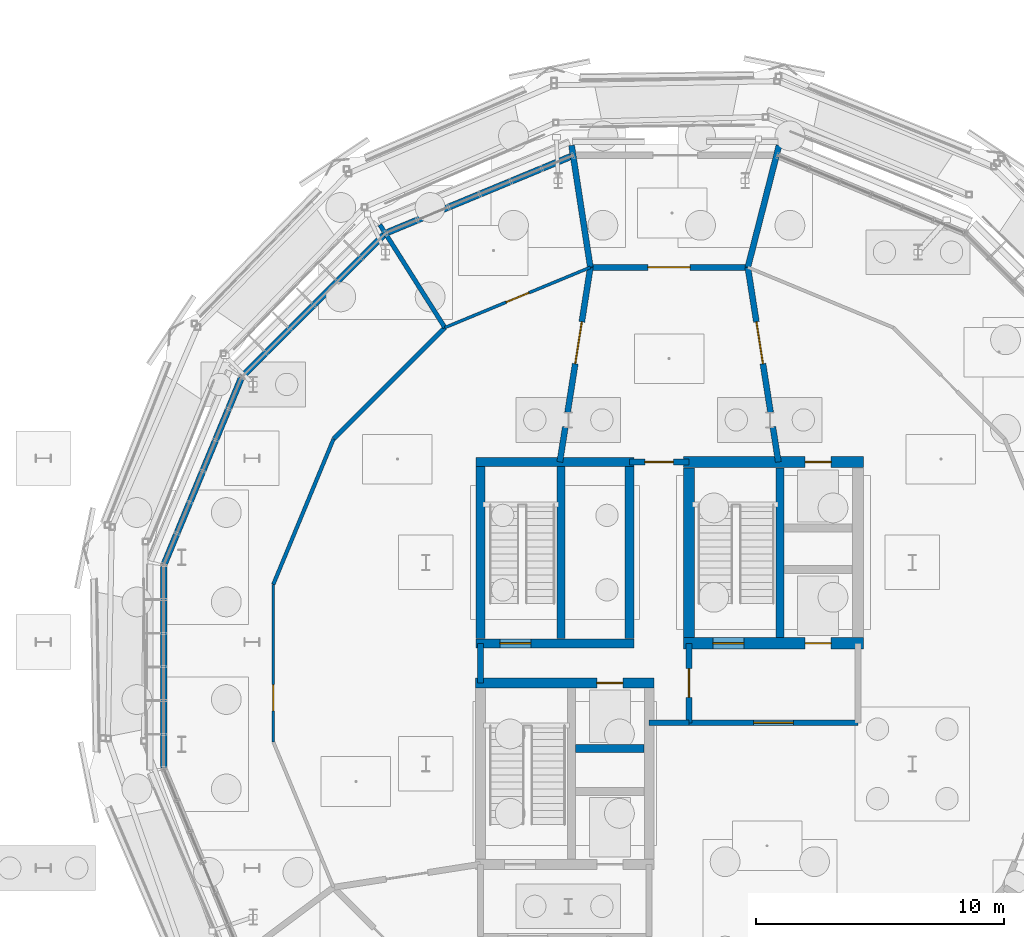
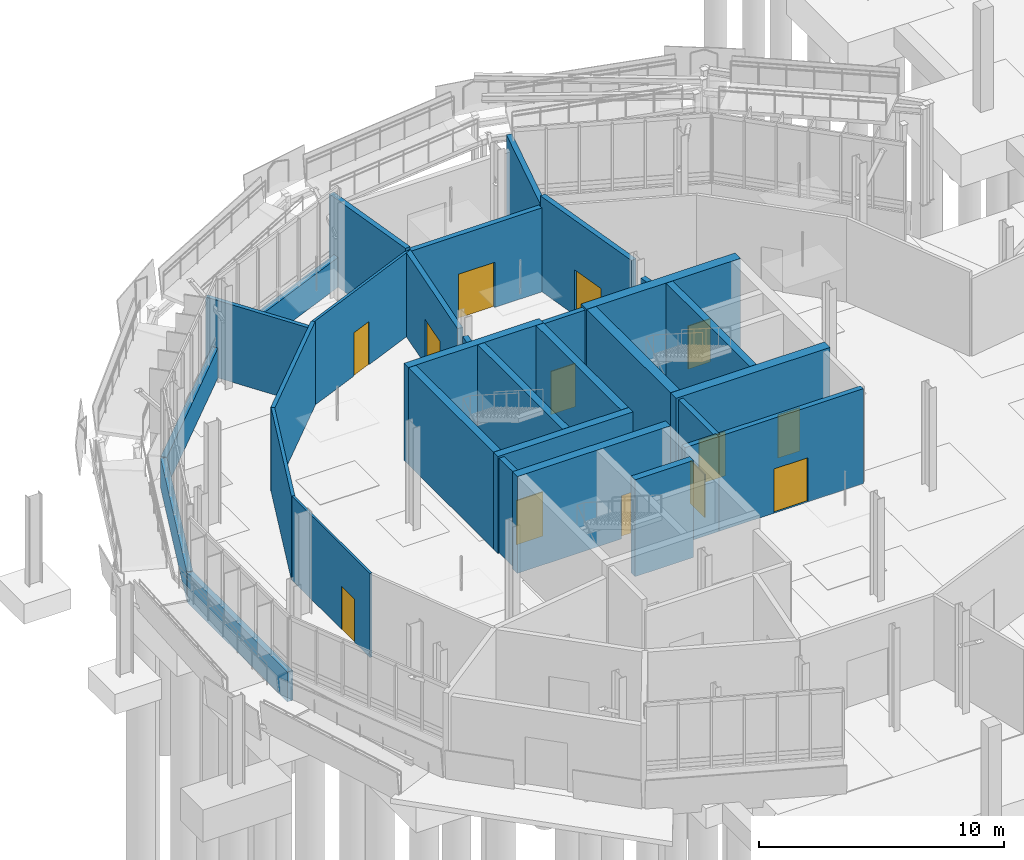
# One storey, part 84 of 119: 32 walls, 13 doors, 13 openings.
"""IFC4 building model written with IfcOpenShell, lengths in metres."""

from ifc_helpers import new_model, si_unit, derived_unit, direction, frame, frame_2d, origin, place, context, subcontext, project, spatial, rectangle, extrude, material, layer, layer_set, type_object, element, fill, save


model = new_model("IFC4")

# Units and contexts
model_context = context("Model", 3, precision=1e-05, world=origin(), true_north=direction((0.0, 1.0)))
body_context = subcontext(model_context, "Body", "Model", "MODEL_VIEW")
ifc_project = project(units=[si_unit("LENGTHUNIT", "METRE"), si_unit("AREAUNIT", "SQUARE_METRE"), si_unit("VOLUMEUNIT", "CUBIC_METRE"), si_unit("PLANEANGLEUNIT", "RADIAN"), si_unit("MASSUNIT", "GRAM", prefix="KILO"), derived_unit("THERMALTRANSMITTANCEUNIT", [(si_unit("MASSUNIT", "GRAM", prefix="KILO"), 1), (si_unit("TIMEUNIT", "SECOND"), -3), (si_unit("THERMODYNAMICTEMPERATUREUNIT", "KELVIN"), -1)])], contexts=[model_context])

# Site, building, storey
site_placement = place(None, origin())
site = spatial("IfcSite", under=ifc_project, at=site_placement, CompositionType="ELEMENT")
building_placement = place(site_placement, origin())
building = spatial("IfcBuilding", under=site, at=building_placement, Name="Makaiwela Harbour Ferry Terminal", CompositionType="ELEMENT")
storey_placement = place(building_placement, origin())
storey = spatial("IfcBuildingStorey", under=building, at=storey_placement, Name="L00", CompositionType="ELEMENT", Elevation=0.0)

# Walls
ifc_material_1 = material(Name="Precast concrete f'c 40 MPa (6000 psi)", Category="concrete")
ifc_layer_1 = layer(ifc_material_1, 0.260009765625)
ifc_layer_set_1 = layer_set([ifc_layer_1], Name="Precast concrete f'c 40 MPa (6000 psi)")
wall_type_1 = type_object("IfcWallType", Name="ENV-WL-EXT260", PredefinedType="SOLIDWALL", material=ifc_layer_set_1)
for number, where, z_axis, x_axis, name in (
    (1, (33.92529296875, 88.034912109375, 0.0), (0.0, 0.0, 1.0), (-0.923884768998, -0.382670790122, 0.0), "Drum Spandrel Backup Wall EW-L00-04"),
    (2, (26.36181640625, 84.8896484375, 0.0), (0.0, 0.0, 1.0), (-0.707106781187, -0.707106781187, 0.0), "Drum Spandrel Backup Wall EW-L00-05"),
    (3, (20.57763671875, 79.08935546875, 0.0), (0.0, 0.0, 1.0), (-0.382670790122, -0.923884768998, 0.0), "Drum Spandrel Backup Wall EW-L00-06"),
    (4, (17.45361328125, 71.516845703125, 0.0), (0.0, 0.0, 1.0), (0.0, -1.0, 0.0), "Drum Spandrel Backup Wall EW-L00-07"),
):
    element("IfcWall", number, at=place(storey_placement, frame(where, z_axis=z_axis, x_axis=x_axis)), inside=storey, type_object=wall_type_1, Name=name, PredefinedType="SOLIDWALL", context=body_context, shape_type="SweptSolid", body=[
        extrude(rectangle(XDim=8.1337890625, YDim=0.260009765625, at=frame_2d((4.06689453125, 0.0))), origin(), (0.0, 0.0, 1.0), 1.47998046875),
    ])
ifc_material_2 = material(Name="Fire-rated gypsum board on steel studs", Category="steel")
ifc_layer_2 = layer(ifc_material_2, 0.179931640625)
ifc_layer_set_2 = layer_set([ifc_layer_2], Name="Fire-rated gypsum board on steel studs")
wall_type_2 = type_object("IfcWallType", Name="INT-WL-FIR180", PredefinedType="PARTITIONING", material=ifc_layer_set_2)
wall_1_placement = place(storey_placement, frame((28.77197265625, 81.111328125, 0.0), z_axis=(0.0, 0.0, 1.0), x_axis=(-0.707106781187, -0.707106781187, 0.0)))
element("IfcWall", 5, at=wall_1_placement, inside=storey, type_object=wall_type_2, Name="Interior Wall IW-0241", PredefinedType="PARTITIONING", context=body_context, shape_type="SweptSolid", body=[
    extrude(rectangle(XDim=6.340576171875, YDim=0.179931640625, at=frame_2d((3.17041015625, 0.0))), origin(), (0.0, 0.0, 1.0), 4.178955078125),
])
wall_2_placement = place(storey_placement, frame((28.77197265625, 81.111328125, 0.0), z_axis=(0.0, 0.0, 1.0), x_axis=(-0.534244268178, 0.845330149657, 0.0)))
element("IfcWall", 6, at=wall_2_placement, inside=storey, type_object=wall_type_2, Name="Interior Wall IW-0263", PredefinedType="PARTITIONING", context=body_context, shape_type="SweptSolid", body=[
    extrude(rectangle(XDim=4.89794921875, YDim=0.179931640625, at=frame_2d((2.448974609375, 0.0))), origin(), (0.0, 0.0, 1.0), 3.844970703125),
])

# Wall, opening, door
ifc_layer_3 = layer(ifc_material_2, 0.239990234375)
ifc_layer_set_3 = layer_set([ifc_layer_3], Name="Fire-rated gypsum board on steel studs")
wall_type_3 = type_object("IfcWallType", Name="INT-WL-FIR240", PredefinedType="SOLIDWALL", material=ifc_layer_set_3)
wall_3_placement = place(storey_placement, frame((38.60009765625, 65.199951171875, 0.0), z_axis=(0.0, 0.0, 1.0), x_axis=(1.0, 0.0, 0.0)))
wall_3 = element("IfcWall", 7, at=wall_3_placement, inside=storey, type_object=wall_type_3, Name="Interior Wall IW-0001", PredefinedType="SOLIDWALL", context=body_context, shape_type="SweptSolid", body=[
    extrude(rectangle(XDim=6.7998046875, YDim=0.239990234375, at=frame_2d((3.39990234375, 0.0))), origin(), (0.0, 0.0, 1.0), 4.719970703125),
])
opening_1_placement = place(wall_3_placement, frame((2.60009765625, 0.0, 0.0)))
opening_1 = element("IfcOpeningElement", 8, at=opening_1_placement, cuts=wall_3, Name="Opening D-03", PredefinedType="OPENING", context=body_context, shape_type="SweptSolid", body=[
    extrude(rectangle(XDim=1.60009765625, YDim=2.199951171875, at=frame_2d((0.800048828125, 1.10009765625))), frame((0.0, 0.1298828125, 0.0), z_axis=(0.0, -1.0, 0.0), x_axis=(1.0, 0.0, 0.0)), (0.0, 0.0, 1.0), 0.260009765625),
])
ifc_material_3 = material(Name="Insulated galvanised fire-rated steel leaf and frame", Category="steel")
door_type_1 = type_object("IfcDoorType", Name="INT-DR-FFL160", OperationType="NOTDEFINED", PredefinedType="DOOR", material=ifc_material_3)
door_1_placement = place(opening_1_placement, frame((1.60009765625, 0.0, 0.0), z_axis=(0.0, 0.0, 1.0), x_axis=(-1.0, 0.0, 0.0)))
door_1 = element("IfcDoor", 9, at=door_1_placement, inside=storey, type_object=door_type_1, Name="Door D-03", OperationType="DOUBLE_DOOR_SINGLE_SWING", OverallHeight=2.199951171875, OverallWidth=1.60009765625, PredefinedType="DOOR", context=body_context, shape_type="SweptSolid", body=[
    extrude(rectangle(XDim=1.60009765625, YDim=2.199951171875, at=frame_2d((0.800048828125, 1.10009765625))), frame((0.0, 0.02490234375, 0.0), z_axis=(0.0, -1.0, 0.0), x_axis=(1.0, 0.0, 0.0)), (0.0, 0.0, 1.0), 0.050048828125),
])
fill(opening_1, door_1)

wall_4_placement = place(storey_placement, frame((38.60009765625, 68.39990234375, 0.0), z_axis=(0.0, 0.0, 1.0), x_axis=(0.0, -1.0, 0.0)))
wall_4 = element("IfcWall", 10, at=wall_4_placement, inside=storey, type_object=wall_type_3, Name="Interior Wall IW-0002", PredefinedType="SOLIDWALL", context=body_context, shape_type="SweptSolid", body=[
    extrude(rectangle(XDim=3.199951171875, YDim=0.239990234375, at=frame_2d((1.60009765625, 0.0))), origin(), (0.0, 0.0, 1.0), 4.719970703125),
])
opening_2_placement = place(wall_4_placement, frame((1.02490234375, 0.0, 0.0)))
opening_2 = element("IfcOpeningElement", 11, at=opening_2_placement, cuts=wall_4, Name="Opening D-01", PredefinedType="OPENING", context=body_context, shape_type="SweptSolid", body=[
    extrude(rectangle(XDim=1.14990234375, YDim=2.14990234375, at=frame_2d((0.574951171875, 1.074951171875))), frame((0.0, 0.1298828125, 0.0), z_axis=(0.0, -1.0, 0.0), x_axis=(1.0, 0.0, 0.0)), (0.0, 0.0, 1.0), 0.260009765625),
])
door_type_2 = type_object("IfcDoorType", Name="INT-DR-ST115", OperationType="NOTDEFINED", PredefinedType="DOOR", material=ifc_material_3)
door_2_placement = place(opening_2_placement, frame((1.14990234375, 0.0, 0.0), z_axis=(0.0, 0.0, 1.0), x_axis=(-1.0, 0.0, 0.0)))
door_2 = element("IfcDoor", 12, at=door_2_placement, inside=storey, type_object=door_type_2, Name="Door D-01", OperationType="SINGLE_SWING_RIGHT", OverallHeight=2.14990234375, OverallWidth=1.14990234375, PredefinedType="DOOR", context=body_context, shape_type="SweptSolid", body=[
    extrude(rectangle(XDim=1.14990234375, YDim=2.14990234375, at=frame_2d((0.574951171875, 1.074951171875))), frame((0.0, 0.02490234375, 0.0), z_axis=(0.0, -1.0, 0.0), x_axis=(1.0, 0.0, 0.0)), (0.0, 0.0, 1.0), 0.050048828125),
])
fill(opening_2, door_2)

# Walls
wall_5_placement = place(storey_placement, frame((30.199951171875, 66.800048828125, 0.0), z_axis=(0.0, 0.0, 1.0), x_axis=(0.0, 1.0, 0.0)))
element("IfcWall", 13, at=wall_5_placement, inside=storey, type_object=wall_type_3, Name="Interior Wall IW-0129", PredefinedType="SOLIDWALL", context=body_context, shape_type="SweptSolid", body=[
    extrude(rectangle(XDim=1.599853515625, YDim=0.239990234375, at=frame_2d((0.7998046875, 0.0))), origin(), (0.0, 0.0, 1.0), 4.719970703125),
])
wall_6_placement = place(storey_placement, frame((37.0, 65.199951171875, 0.0), z_axis=(0.0, 0.0, 1.0), x_axis=(1.0, 0.0, 0.0)))
element("IfcWall", 14, at=wall_6_placement, inside=storey, type_object=wall_type_3, Name="Interior Wall IW-0130", PredefinedType="SOLIDWALL", context=body_context, shape_type="SweptSolid", body=[
    extrude(rectangle(XDim=1.60009765625, YDim=0.239990234375, at=frame_2d((0.800048828125, 0.0))), origin(), (0.0, 0.0, 1.0), 4.719970703125),
])

# Wall, opening, door
wall_7_placement = place(storey_placement, frame((36.199951171875, 75.699951171875, 0.0), z_axis=(0.0, 0.0, 1.0), x_axis=(1.0, 0.0, 0.0)))
wall_7 = element("IfcWall", 15, at=wall_7_placement, inside=storey, type_object=wall_type_3, Name="Interior Wall IW-0131", PredefinedType="SOLIDWALL", context=body_context, shape_type="SweptSolid", body=[
    extrude(rectangle(XDim=2.400146484375, YDim=0.239990234375, at=frame_2d((1.2001953125, 0.0))), origin(), (0.0, 0.0, 1.0), 4.719970703125),
])
opening_3_placement = place(wall_7_placement, frame((0.625, 0.0, 0.0)))
opening_3 = element("IfcOpeningElement", 16, at=opening_3_placement, cuts=wall_7, Name="Opening D-01", PredefinedType="OPENING", context=body_context, shape_type="SweptSolid", body=[
    extrude(rectangle(XDim=1.14990234375, YDim=2.14990234375, at=frame_2d((0.574951171875, 1.074951171875))), frame((0.0, 0.1298828125, 0.0), z_axis=(0.0, -1.0, 0.0), x_axis=(1.0, 0.0, 0.0)), (0.0, 0.0, 1.0), 0.260009765625),
])
door_3_placement = place(opening_3_placement, origin())
door_3 = element("IfcDoor", 17, at=door_3_placement, inside=storey, type_object=door_type_2, Name="Door D-01", OperationType="SINGLE_SWING_LEFT", OverallHeight=2.14990234375, OverallWidth=1.14990234375, PredefinedType="DOOR", context=body_context, shape_type="SweptSolid", body=[
    extrude(rectangle(XDim=1.14990234375, YDim=2.14990234375, at=frame_2d((0.574951171875, 1.074951171875))), frame((0.0, 0.02490234375, 0.0), z_axis=(0.0, -1.0, 0.0), x_axis=(1.0, 0.0, 0.0)), (0.0, 0.0, 1.0), 0.050048828125),
])
fill(opening_3, door_3)

wall_8_placement = place(storey_placement, frame((40.97021484375, 83.537841796875, 0.0), z_axis=(0.0, 0.0, 1.0), x_axis=(-1.0, 0.0, 0.0)))
wall_8 = element("IfcWall", 18, at=wall_8_placement, inside=storey, type_object=wall_type_3, Name="Interior Wall IW-0239", PredefinedType="SOLIDWALL", context=body_context, shape_type="SweptSolid", body=[
    extrude(rectangle(XDim=6.34033203125, YDim=0.239990234375, at=frame_2d((3.170166015625, 0.0))), origin(), (0.0, 0.0, 1.0), 4.178955078125),
])
opening_4_placement = place(wall_8_placement, frame((2.3203125, 0.0, 0.0)))
opening_4 = element("IfcOpeningElement", 19, at=opening_4_placement, cuts=wall_8, Name="Opening D-04", PredefinedType="OPENING", context=body_context, shape_type="SweptSolid", body=[
    extrude(rectangle(XDim=1.699951171875, YDim=2.25, at=frame_2d((0.85009765625, 1.125))), frame((0.0, 0.1298828125, 0.0), z_axis=(0.0, -1.0, 0.0), x_axis=(1.0, 0.0, 0.0)), (0.0, 0.0, 1.0), 0.260009765625),
])
door_type_3 = type_object("IfcDoorType", Name="INT-DR-COR170", OperationType="NOTDEFINED", PredefinedType="DOOR", material=ifc_material_3)
door_4_placement = place(opening_4_placement, frame((1.699951171875, 0.0, 0.0), z_axis=(0.0, 0.0, 1.0), x_axis=(-1.0, 0.0, 0.0)))
door_4 = element("IfcDoor", 20, at=door_4_placement, inside=storey, type_object=door_type_3, Name="Door D-04", OperationType="SINGLE_SWING_LEFT", OverallHeight=2.25, OverallWidth=1.699951171875, PredefinedType="DOOR", context=body_context, shape_type="SweptSolid", body=[
    extrude(rectangle(XDim=1.699951171875, YDim=2.25, at=frame_2d((0.85009765625, 1.125))), frame((0.0, 0.02490234375, 0.0), z_axis=(0.0, -1.0, 0.0), x_axis=(1.0, 0.0, 0.0)), (0.0, 0.0, 1.0), 0.050048828125),
])
fill(opening_4, door_4)

# Walls
wall_9_placement = place(storey_placement, frame((40.97021484375, 83.537841796875, 0.0), z_axis=(0.0, 0.0, 1.0), x_axis=(0.247903687138, 0.968784682942, 0.0)))
element("IfcWall", 21, at=wall_9_placement, inside=storey, type_object=wall_type_3, Name="Interior Wall IW-0261", PredefinedType="SOLIDWALL", context=body_context, shape_type="SweptSolid", body=[
    extrude(rectangle(XDim=5.06884765625, YDim=0.239990234375, at=frame_2d((2.534423828125, 0.0))), origin(), (0.0, 0.0, 1.0), 4.319091796875),
])
wall_10_placement = place(storey_placement, frame((34.6298828125, 83.537841796875, 0.0), z_axis=(0.0, 0.0, 1.0), x_axis=(-0.152323026885, 0.988330762185, 0.0)))
element("IfcWall", 22, at=wall_10_placement, inside=storey, type_object=wall_type_3, Name="Interior Wall IW-0262", PredefinedType="SOLIDWALL", context=body_context, shape_type="SweptSolid", body=[
    extrude(rectangle(XDim=4.968505859375, YDim=0.239990234375, at=frame_2d((2.484375, 0.0))), origin(), (0.0, 0.0, 1.0), 4.319091796875),
])

# Wall, opening, door
wall_11_placement = place(storey_placement, frame((34.6298828125, 83.537841796875, 0.0), z_axis=(0.0, 0.0, 1.0), x_axis=(-0.155019121143, -0.987911469758, 0.0)))
wall_11 = element("IfcWall", 23, at=wall_11_placement, inside=storey, type_object=wall_type_3, Name="Interior Wall IW-0441", PredefinedType="SOLIDWALL", context=body_context, shape_type="SweptSolid", body=[
    extrude(rectangle(XDim=5.913818359375, YDim=0.239990234375, at=frame_2d((2.95703125, 0.0))), origin(), (0.0, 0.0, 1.0), 4.178955078125),
])
opening_5_placement = place(wall_11_placement, frame((2.22509765625, 0.0, 0.0)))
opening_5 = element("IfcOpeningElement", 24, at=opening_5_placement, cuts=wall_11, Name="Opening D-04", PredefinedType="OPENING", context=body_context, shape_type="SweptSolid", body=[
    extrude(rectangle(XDim=1.699951171875, YDim=2.25, at=frame_2d((0.85009765625, 1.125))), frame((0.0, 0.1298828125, 0.0), z_axis=(0.0, -1.0, 0.0), x_axis=(1.0, 0.0, 0.0)), (0.0, 0.0, 1.0), 0.260009765625),
])
door_5_placement = place(opening_5_placement, origin())
door_5 = element("IfcDoor", 25, at=door_5_placement, inside=storey, type_object=door_type_3, Name="Door D-04", OperationType="DOUBLE_DOOR_SINGLE_SWING", OverallHeight=2.25, OverallWidth=1.699951171875, PredefinedType="DOOR", context=body_context, shape_type="SweptSolid", body=[
    extrude(rectangle(XDim=1.699951171875, YDim=2.25, at=frame_2d((0.85009765625, 1.125))), frame((0.0, 0.02490234375, 0.0), z_axis=(0.0, -1.0, 0.0), x_axis=(1.0, 0.0, 0.0)), (0.0, 0.0, 1.0), 0.050048828125),
])
fill(opening_5, door_5)

# Wall
wall_12_placement = place(storey_placement, frame((33.6220703125, 77.11474609375, 0.0), z_axis=(0.0, 0.0, 1.0), x_axis=(-0.155130883964, -0.987893925905, 0.0)))
element("IfcWall", 26, at=wall_12_placement, inside=storey, type_object=wall_type_3, Name="Interior Wall IW-0442", PredefinedType="SOLIDWALL", context=body_context, shape_type="SweptSolid", body=[
    extrude(rectangle(XDim=1.43212890625, YDim=0.239990234375, at=frame_2d((0.716064453125, 0.0))), origin(), (0.0, 0.0, 1.0), 4.178955078125),
])

# Wall, opening, door
wall_13_placement = place(storey_placement, frame((40.97021484375, 83.537841796875, 0.0), z_axis=(0.0, 0.0, 1.0), x_axis=(0.155019121143, -0.987911469758, 0.0)))
wall_13 = element("IfcWall", 27, at=wall_13_placement, inside=storey, type_object=wall_type_3, Name="Interior Wall IW-0443", PredefinedType="SOLIDWALL", context=body_context, shape_type="SweptSolid", body=[
    extrude(rectangle(XDim=5.913818359375, YDim=0.239990234375, at=frame_2d((2.95703125, 0.0))), origin(), (0.0, 0.0, 1.0), 4.719970703125),
])
opening_6_placement = place(wall_13_placement, frame((2.22509765625, 0.0, 0.0)))
opening_6 = element("IfcOpeningElement", 28, at=opening_6_placement, cuts=wall_13, Name="Opening D-04", PredefinedType="OPENING", context=body_context, shape_type="SweptSolid", body=[
    extrude(rectangle(XDim=1.699951171875, YDim=2.25, at=frame_2d((0.85009765625, 1.125))), frame((0.0, 0.1298828125, 0.0), z_axis=(0.0, -1.0, 0.0), x_axis=(1.0, 0.0, 0.0)), (0.0, 0.0, 1.0), 0.260009765625),
])
door_6_placement = place(opening_6_placement, frame((1.699951171875, 0.0, 0.0), z_axis=(0.0, 0.0, 1.0), x_axis=(-1.0, 0.0, 0.0)))
door_6 = element("IfcDoor", 29, at=door_6_placement, inside=storey, type_object=door_type_3, Name="Door D-04", OperationType="DOUBLE_DOOR_SINGLE_SWING", OverallHeight=2.25, OverallWidth=1.699951171875, PredefinedType="DOOR", context=body_context, shape_type="SweptSolid", body=[
    extrude(rectangle(XDim=1.699951171875, YDim=2.25, at=frame_2d((0.85009765625, 1.125))), frame((0.0, 0.02490234375, 0.0), z_axis=(0.0, -1.0, 0.0), x_axis=(1.0, 0.0, 0.0)), (0.0, 0.0, 1.0), 0.050048828125),
])
fill(opening_6, door_6)

# Wall
wall_14_placement = place(storey_placement, frame((41.97802734375, 77.11474609375, 0.0), z_axis=(0.0, 0.0, 1.0), x_axis=(0.154964506414, -0.987920038137, 0.0)))
element("IfcWall", 30, at=wall_14_placement, inside=storey, type_object=wall_type_3, Name="Interior Wall IW-0444", PredefinedType="SOLIDWALL", context=body_context, shape_type="SweptSolid", body=[
    extrude(rectangle(XDim=1.43212890625, YDim=0.239990234375, at=frame_2d((0.716064453125, 0.0))), origin(), (0.0, 0.0, 1.0), 4.178955078125),
])

# Wall, opening, door
ifc_material_4 = material(Name="Moisture-resistant acoustic gypsum partition", Category="gypsum")
ifc_layer_4 = layer(ifc_material_4, 0.10009765625)
ifc_layer_set_4 = layer_set([ifc_layer_4], Name="Moisture-resistant acoustic gypsum partition")
wall_type_4 = type_object("IfcWallType", Name="INT-WL-PRT100", PredefinedType="PARTITIONING", material=ifc_layer_set_4)
wall_15_placement = place(storey_placement, frame((21.8623046875, 70.770263671875, 0.0), z_axis=(0.0, 0.0, 1.0), x_axis=(0.0, -1.0, 0.0)))
wall_15 = element("IfcWall", 31, at=wall_15_placement, inside=storey, type_object=wall_type_4, Name="Interior Wall IW-0243", PredefinedType="PARTITIONING", context=body_context, shape_type="SweptSolid", body=[
    extrude(rectangle(XDim=6.340576171875, YDim=0.10009765625, at=frame_2d((3.17041015625, 0.0))), origin(), (0.0, 0.0, 1.0), 4.178955078125),
])
opening_7_placement = place(wall_15_placement, frame((4.0400390625, 0.0, 0.0)))
opening_7 = element("IfcOpeningElement", 32, at=opening_7_placement, cuts=wall_15, Name="Opening D-10", PredefinedType="OPENING", context=body_context, shape_type="SweptSolid", body=[
    extrude(rectangle(XDim=1.050048828125, YDim=2.14990234375, at=frame_2d((0.52490234375, 1.074951171875))), frame((0.0, 0.06005859375, 0.0), z_axis=(0.0, -1.0, 0.0), x_axis=(1.0, 0.0, 0.0)), (0.0, 0.0, 1.0), 0.1201171875),
])
ifc_material_5 = material(Name="Solid-core marine hardwood and painted steel frame", Category="steel")
door_type_4 = type_object("IfcDoorType", Name="INT-DR-RM105", OperationType="NOTDEFINED", PredefinedType="DOOR", material=ifc_material_5)
door_7_placement = place(opening_7_placement, frame((1.050048828125, 0.0, 0.0), z_axis=(0.0, 0.0, 1.0), x_axis=(-1.0, 0.0, 0.0)))
door_7 = element("IfcDoor", 33, at=door_7_placement, inside=storey, type_object=door_type_4, Name="Door D-10", OperationType="SINGLE_SWING_LEFT", OverallHeight=2.14990234375, OverallWidth=1.050048828125, PredefinedType="DOOR", context=body_context, shape_type="SweptSolid", body=[
    extrude(rectangle(XDim=1.050048828125, YDim=2.14990234375, at=frame_2d((0.52490234375, 1.074951171875))), frame((0.0, 0.02490234375, 0.0), z_axis=(0.0, -1.0, 0.0), x_axis=(1.0, 0.0, 0.0)), (0.0, 0.0, 1.0), 0.050048828125),
])
fill(opening_7, door_7)

ifc_layer_5 = layer(ifc_material_4, 0.1201171875)
ifc_layer_set_5 = layer_set([ifc_layer_5], Name="Moisture-resistant acoustic gypsum partition")
wall_type_5 = type_object("IfcWallType", Name="INT-WL-PRT120", PredefinedType="PARTITIONING", material=ifc_layer_set_5)
wall_16_placement = place(storey_placement, frame((34.6298828125, 83.537841796875, 0.0), z_axis=(0.0, 0.0, 1.0), x_axis=(-0.92387463456, -0.382695256851, 0.0)))
wall_16 = element("IfcWall", 34, at=wall_16_placement, inside=storey, type_object=wall_type_5, Name="Interior Wall IW-0240", PredefinedType="PARTITIONING", context=body_context, shape_type="SweptSolid", body=[
    extrude(rectangle(XDim=6.340576171875, YDim=0.1201171875, at=frame_2d((3.17041015625, 0.0))), origin(), (0.0, 0.0, 1.0), 4.178955078125),
])
opening_8_placement = place(wall_16_placement, frame((2.670166015625, 0.0, 0.0)))
opening_8 = element("IfcOpeningElement", 35, at=opening_8_placement, cuts=wall_16, Name="Opening D-09", PredefinedType="OPENING", context=body_context, shape_type="SweptSolid", body=[
    extrude(rectangle(XDim=1.0, YDim=2.14990234375, at=frame_2d((0.5, 1.074951171875))), frame((0.0, 0.070068359375, 0.0), z_axis=(0.0, -1.0, 0.0), x_axis=(1.0, 0.0, 0.0)), (0.0, 0.0, 1.0), 0.14013671875),
])
door_type_5 = type_object("IfcDoorType", Name="INT-DR-RM100", OperationType="NOTDEFINED", PredefinedType="DOOR", material=ifc_material_5)
door_8_placement = place(opening_8_placement, frame((1.0, 0.0, 0.0), z_axis=(0.0, 0.0, 1.0), x_axis=(-1.0, 0.0, 0.0)))
door_8 = element("IfcDoor", 36, at=door_8_placement, inside=storey, type_object=door_type_5, Name="Door D-09", OperationType="SINGLE_SWING_RIGHT", OverallHeight=2.14990234375, OverallWidth=1.0, PredefinedType="DOOR", context=body_context, shape_type="SweptSolid", body=[
    extrude(rectangle(XDim=1.0, YDim=2.14990234375, at=frame_2d((0.5, 1.074951171875))), frame((0.0, 0.02490234375, 0.0), z_axis=(0.0, -1.0, 0.0), x_axis=(1.0, 0.0, 0.0)), (0.0, 0.0, 1.0), 0.050048828125),
])
fill(opening_8, door_8)

# Walls
ifc_layer_6 = layer(ifc_material_4, 0.14990234375)
ifc_layer_set_6 = layer_set([ifc_layer_6], Name="Moisture-resistant acoustic gypsum partition")
wall_type_6 = type_object("IfcWallType", Name="INT-WL-PRT150", PredefinedType="PARTITIONING", material=ifc_layer_set_6)
wall_17_placement = place(storey_placement, frame((24.28857421875, 76.6279296875, 0.0), z_axis=(0.0, 0.0, 1.0), x_axis=(-0.382676004295, -0.923882609284, 0.0)))
element("IfcWall", 37, at=wall_17_placement, inside=storey, type_object=wall_type_6, Name="Interior Wall IW-0242", PredefinedType="PARTITIONING", context=body_context, shape_type="SweptSolid", body=[
    extrude(rectangle(XDim=6.34033203125, YDim=0.14990234375, at=frame_2d((3.170166015625, 0.0))), origin(), (0.0, 0.0, 1.0), 4.178955078125),
])
ifc_material_6 = material(Name="Concrete f'c 45 MPa (6500 psi)", Category="concrete")
ifc_layer_7 = layer(ifc_material_6, 0.320068359375)
ifc_layer_set_7 = layer_set([ifc_layer_7], Name="Concrete f'c 45 MPa (6500 psi)")
wall_type_7 = type_object("IfcWallType", Name="INT-WL-SHR320", PredefinedType="SHEAR", material=ifc_layer_set_7)
wall_18_placement = place(storey_placement, frame((42.27197265625, 68.635009765625, 0.0), z_axis=(0.0, 0.0, 1.0), x_axis=(0.0, 1.0, 0.0)))
element("IfcWall", 38, at=wall_18_placement, inside=storey, type_object=wall_type_7, Name="Interior Wall IW-0008", PredefinedType="SHEAR", context=body_context, shape_type="SweptSolid", body=[
    extrude(rectangle(XDim=6.830078125, YDim=0.320068359375, at=frame_2d((3.4150390625, 0.0))), origin(), (0.0, 0.0, 1.0), 4.820068359375),
])
wall_19_placement = place(storey_placement, frame((34.037109375, 64.159912109375, 0.0), z_axis=(0.0, 0.0, 1.0), x_axis=(1.0, 0.0, 0.0)))
element("IfcWall", 39, at=wall_19_placement, inside=storey, type_object=wall_type_7, Name="Interior Wall IW-0074", PredefinedType="SHEAR", context=body_context, shape_type="SweptSolid", body=[
    extrude(rectangle(XDim=2.7578125, YDim=0.320068359375, at=frame_2d((1.37890625, 0.0))), origin(), (0.0, 0.0, 1.0), 4.820068359375),
])
wall_20_placement = place(storey_placement, frame((33.43994140625, 68.590087890625, 0.0), z_axis=(0.0, 0.0, 1.0), x_axis=(0.0, 1.0, 0.0)))
element("IfcWall", 40, at=wall_20_placement, inside=storey, type_object=wall_type_7, Name="Interior Wall IW-0136", PredefinedType="SHEAR", context=body_context, shape_type="SweptSolid", body=[
    extrude(rectangle(XDim=6.919921875, YDim=0.320068359375, at=frame_2d((3.4599609375, 0.0))), origin(), (0.0, 0.0, 1.0), 4.820068359375),
])

# Wall, opening, door
ifc_layer_8 = layer(ifc_material_6, 0.360107421875)
ifc_layer_set_8 = layer_set([ifc_layer_8], Name="Concrete f'c 45 MPa (6500 psi)")
wall_type_8 = type_object("IfcWallType", Name="INT-WL-SHR360", PredefinedType="SHEAR", material=ifc_layer_set_8)
wall_21_placement = place(storey_placement, frame((30.02001953125, 68.39990234375, 0.0), z_axis=(0.0, 0.0, 1.0), x_axis=(1.0, 0.0, 0.0)))
wall_21 = element("IfcWall", 41, at=wall_21_placement, inside=storey, type_object=wall_type_8, Name="Interior Wall IW-0132", PredefinedType="SHEAR", context=body_context, shape_type="SweptSolid", body=[
    extrude(rectangle(XDim=6.35986328125, YDim=0.360107421875, at=frame_2d((3.179931640625, 0.0))), origin(), (0.0, 0.0, 1.0), 4.820068359375),
])
opening_9_placement = place(wall_21_placement, frame((0.965087890625, 0.0, 0.0)))
opening_9 = element("IfcOpeningElement", 42, at=opening_9_placement, cuts=wall_21, Name="Opening D-02", PredefinedType="OPENING", context=body_context, shape_type="SweptSolid", body=[
    extrude(rectangle(XDim=1.25, YDim=2.199951171875, at=frame_2d((0.625, 1.10009765625))), frame((0.0, 0.18994140625, 0.0), z_axis=(0.0, -1.0, 0.0), x_axis=(1.0, 0.0, 0.0)), (0.0, 0.0, 1.0), 0.380126953125),
])
door_type_6 = type_object("IfcDoorType", Name="INT-DR-ST125", OperationType="NOTDEFINED", PredefinedType="DOOR", material=ifc_material_3)
door_9_placement = place(opening_9_placement, frame((1.25, 0.0, 0.0), z_axis=(0.0, 0.0, 1.0), x_axis=(-1.0, 0.0, 0.0)))
door_9 = element("IfcDoor", 43, at=door_9_placement, inside=storey, type_object=door_type_6, Name="Door D-02", OperationType="SINGLE_SWING_RIGHT", OverallHeight=2.199951171875, OverallWidth=1.25, PredefinedType="DOOR", context=body_context, shape_type="SweptSolid", body=[
    extrude(rectangle(XDim=1.25, YDim=2.199951171875, at=frame_2d((0.625, 1.10009765625))), frame((0.0, 0.02490234375, 0.0), z_axis=(0.0, -1.0, 0.0), x_axis=(1.0, 0.0, 0.0)), (0.0, 0.0, 1.0), 0.050048828125),
])
fill(opening_9, door_9)

# Walls
wall_22_placement = place(storey_placement, frame((30.02001953125, 75.699951171875, 0.0), z_axis=(0.0, 0.0, 1.0), x_axis=(1.0, 0.0, 0.0)))
element("IfcWall", 44, at=wall_22_placement, inside=storey, type_object=wall_type_8, Name="Interior Wall IW-0133", PredefinedType="SHEAR", context=body_context, shape_type="SweptSolid", body=[
    extrude(rectangle(XDim=6.35986328125, YDim=0.360107421875, at=frame_2d((3.179931640625, 0.0))), origin(), (0.0, 0.0, 1.0), 4.820068359375),
])
for number, where, z_axis, x_axis, name in (
    (45, (30.199951171875, 68.590087890625, 0.0), (0.0, 0.0, 1.0), (0.0, 1.0, 0.0), "Interior Wall IW-0134"),
    (46, (36.199951171875, 68.590087890625, 0.0), (0.0, 0.0, 1.0), (0.0, 1.0, 0.0), "Interior Wall IW-0135"),
):
    element("IfcWall", number, at=place(storey_placement, frame(where, z_axis=z_axis, x_axis=x_axis)), inside=storey, type_object=wall_type_8, Name=name, PredefinedType="SHEAR", context=body_context, shape_type="SweptSolid", body=[
        extrude(rectangle(XDim=6.919921875, YDim=0.360107421875, at=frame_2d((3.4599609375, 0.0))), origin(), (0.0, 0.0, 1.0), 4.820068359375),
    ])

# Wall, opening, door
ifc_layer_9 = layer(ifc_material_6, 0.39990234375)
ifc_layer_set_9 = layer_set([ifc_layer_9], Name="Concrete f'c 45 MPa (6500 psi)")
wall_type_9 = type_object("IfcWallType", Name="INT-WL-SHR400", PredefinedType="SHEAR", material=ifc_layer_set_9)
wall_23_placement = place(storey_placement, frame((30.0, 66.800048828125, 0.0), z_axis=(0.0, 0.0, 1.0), x_axis=(1.0, 0.0, 0.0)))
wall_23 = element("IfcWall", 47, at=wall_23_placement, inside=storey, type_object=wall_type_9, Name="Interior Wall IW-0069", PredefinedType="SHEAR", context=body_context, shape_type="SweptSolid", body=[
    extrude(rectangle(XDim=7.199951171875, YDim=0.39990234375, at=frame_2d((3.60009765625, 0.0))), origin(), (0.0, 0.0, 1.0), 4.820068359375),
])
opening_10_placement = place(wall_23_placement, frame((4.890869140625, 0.0, 0.0)))
opening_10 = element("IfcOpeningElement", 48, at=opening_10_placement, cuts=wall_23, Name="Opening LD-01", PredefinedType="OPENING", context=body_context, shape_type="SweptSolid", body=[
    extrude(rectangle(XDim=1.050048828125, YDim=2.14990234375, at=frame_2d((0.52490234375, 1.074951171875))), frame((0.0, 0.2099609375, 0.0), z_axis=(0.0, -1.0, 0.0), x_axis=(1.0, 0.0, 0.0)), (0.0, 0.0, 1.0), 0.419921875),
])
ifc_material_7 = material(Name="Marine grade 316L brushed stainless steel", Category="steel")
door_type_7 = type_object("IfcDoorType", Name="INT-DR-LD105", OperationType="NOTDEFINED", PredefinedType="DOOR", material=ifc_material_7)
door_10_placement = place(opening_10_placement, origin())
door_10 = element("IfcDoor", 49, at=door_10_placement, inside=storey, type_object=door_type_7, Name="Door LD-01", OperationType="DOUBLE_DOOR_SLIDING", OverallHeight=2.14990234375, OverallWidth=1.050048828125, PredefinedType="DOOR", context=body_context, shape_type="SweptSolid", body=[
    extrude(rectangle(XDim=1.050048828125, YDim=2.14990234375, at=frame_2d((0.52490234375, 1.074951171875))), frame((0.0, 0.02490234375, 0.0), z_axis=(0.0, -1.0, 0.0), x_axis=(1.0, 0.0, 0.0)), (0.0, 0.0, 1.0), 0.050048828125),
])
fill(opening_10, door_10)

# Wall, openings, doors
ifc_layer_10 = layer(ifc_material_6, 0.449951171875)
ifc_layer_set_10 = layer_set([ifc_layer_10], Name="Concrete f'c 45 MPa (6500 psi)")
wall_type_10 = type_object("IfcWallType", Name="INT-WL-SHR450", PredefinedType="SHEAR", material=ifc_layer_set_10)
wall_24_placement = place(storey_placement, frame((38.375, 68.39990234375, 0.0), z_axis=(0.0, 0.0, 1.0), x_axis=(1.0, 0.0, 0.0)))
wall_24 = element("IfcWall", 50, at=wall_24_placement, inside=storey, type_object=wall_type_10, Name="Interior Wall IW-0004", PredefinedType="SHEAR", context=body_context, shape_type="SweptSolid", body=[
    extrude(rectangle(XDim=7.25, YDim=0.449951171875, at=frame_2d((3.625, 0.0))), origin(), (0.0, 0.0, 1.0), 4.820068359375),
])
opening_11_placement = place(wall_24_placement, frame((1.1875, 0.0, 0.0)))
opening_11 = element("IfcOpeningElement", 51, at=opening_11_placement, cuts=wall_24, Name="Opening D-02", PredefinedType="OPENING", context=body_context, shape_type="SweptSolid", body=[
    extrude(rectangle(XDim=1.25, YDim=2.199951171875, at=frame_2d((0.625, 1.10009765625))), frame((0.0, 0.23486328125, 0.0), z_axis=(0.0, -1.0, 0.0), x_axis=(1.0, 0.0, 0.0)), (0.0, 0.0, 1.0), 0.469970703125),
])
opening_12_placement = place(wall_24_placement, frame((4.90380859375, 0.0, 0.0)))
opening_12 = element("IfcOpeningElement", 52, at=opening_12_placement, cuts=wall_24, Name="Opening LD-01", PredefinedType="OPENING", context=body_context, shape_type="SweptSolid", body=[
    extrude(rectangle(XDim=1.050048828125, YDim=2.14990234375, at=frame_2d((0.52490234375, 1.074951171875))), frame((0.0, 0.23486328125, 0.0), z_axis=(0.0, -1.0, 0.0), x_axis=(1.0, 0.0, 0.0)), (0.0, 0.0, 1.0), 0.469970703125),
])
door_11_placement = place(opening_12_placement, frame((1.050048828125, 0.0, 0.0), z_axis=(0.0, 0.0, 1.0), x_axis=(-1.0, 0.0, 0.0)))
door_11 = element("IfcDoor", 53, at=door_11_placement, inside=storey, type_object=door_type_7, Name="Door LD-01", OperationType="DOUBLE_DOOR_SLIDING", OverallHeight=2.14990234375, OverallWidth=1.050048828125, PredefinedType="DOOR", context=body_context, shape_type="SweptSolid", body=[
    extrude(rectangle(XDim=1.050048828125, YDim=2.14990234375, at=frame_2d((0.52490234375, 1.074951171875))), frame((0.0, 0.02490234375, 0.0), z_axis=(0.0, -1.0, 0.0), x_axis=(1.0, 0.0, 0.0)), (0.0, 0.0, 1.0), 0.050048828125),
])
fill(opening_12, door_11)
door_12_placement = place(opening_11_placement, frame((1.25, 0.0, 0.0), z_axis=(0.0, 0.0, 1.0), x_axis=(-1.0, 0.0, 0.0)))
door_12 = element("IfcDoor", 54, at=door_12_placement, inside=storey, type_object=door_type_6, Name="Door D-02", OperationType="SINGLE_SWING_LEFT", OverallHeight=2.199951171875, OverallWidth=1.25, PredefinedType="DOOR", context=body_context, shape_type="SweptSolid", body=[
    extrude(rectangle(XDim=1.25, YDim=2.199951171875, at=frame_2d((0.625, 1.10009765625))), frame((0.0, 0.02490234375, 0.0), z_axis=(0.0, -1.0, 0.0), x_axis=(1.0, 0.0, 0.0)), (0.0, 0.0, 1.0), 0.050048828125),
])
fill(opening_11, door_12)

# Wall, opening, door
wall_25_placement = place(storey_placement, frame((38.375, 75.699951171875, 0.0), z_axis=(0.0, 0.0, 1.0), x_axis=(1.0, 0.0, 0.0)))
wall_25 = element("IfcWall", 55, at=wall_25_placement, inside=storey, type_object=wall_type_10, Name="Interior Wall IW-0005", PredefinedType="SHEAR", context=body_context, shape_type="SweptSolid", body=[
    extrude(rectangle(XDim=7.25, YDim=0.449951171875, at=frame_2d((3.625, 0.0))), origin(), (0.0, 0.0, 1.0), 4.820068359375),
])
opening_13_placement = place(wall_25_placement, frame((4.90380859375, 0.0, 0.0)))
opening_13 = element("IfcOpeningElement", 56, at=opening_13_placement, cuts=wall_25, Name="Opening LD-01", PredefinedType="OPENING", context=body_context, shape_type="SweptSolid", body=[
    extrude(rectangle(XDim=1.050048828125, YDim=2.14990234375, at=frame_2d((0.52490234375, 1.074951171875))), frame((0.0, 0.23486328125, 0.0), z_axis=(0.0, -1.0, 0.0), x_axis=(1.0, 0.0, 0.0)), (0.0, 0.0, 1.0), 0.469970703125),
])
door_13_placement = place(opening_13_placement, origin())
door_13 = element("IfcDoor", 57, at=door_13_placement, inside=storey, type_object=door_type_7, Name="Door LD-01", OperationType="DOUBLE_DOOR_SLIDING", OverallHeight=2.14990234375, OverallWidth=1.050048828125, PredefinedType="DOOR", context=body_context, shape_type="SweptSolid", body=[
    extrude(rectangle(XDim=1.050048828125, YDim=2.14990234375, at=frame_2d((0.52490234375, 1.074951171875))), frame((0.0, 0.02490234375, 0.0), z_axis=(0.0, -1.0, 0.0), x_axis=(1.0, 0.0, 0.0)), (0.0, 0.0, 1.0), 0.050048828125),
])
fill(opening_13, door_13)

# Wall
wall_26_placement = place(storey_placement, frame((38.60009765625, 68.635009765625, 0.0), z_axis=(0.0, 0.0, 1.0), x_axis=(0.0, 1.0, 0.0)))
element("IfcWall", 58, at=wall_26_placement, inside=storey, type_object=wall_type_10, Name="Interior Wall IW-0006", PredefinedType="SHEAR", context=body_context, shape_type="SweptSolid", body=[
    extrude(rectangle(XDim=6.830078125, YDim=0.449951171875, at=frame_2d((3.4150390625, 0.0))), origin(), (0.0, 0.0, 1.0), 4.820068359375),
])

save(model, "model.ifc")
